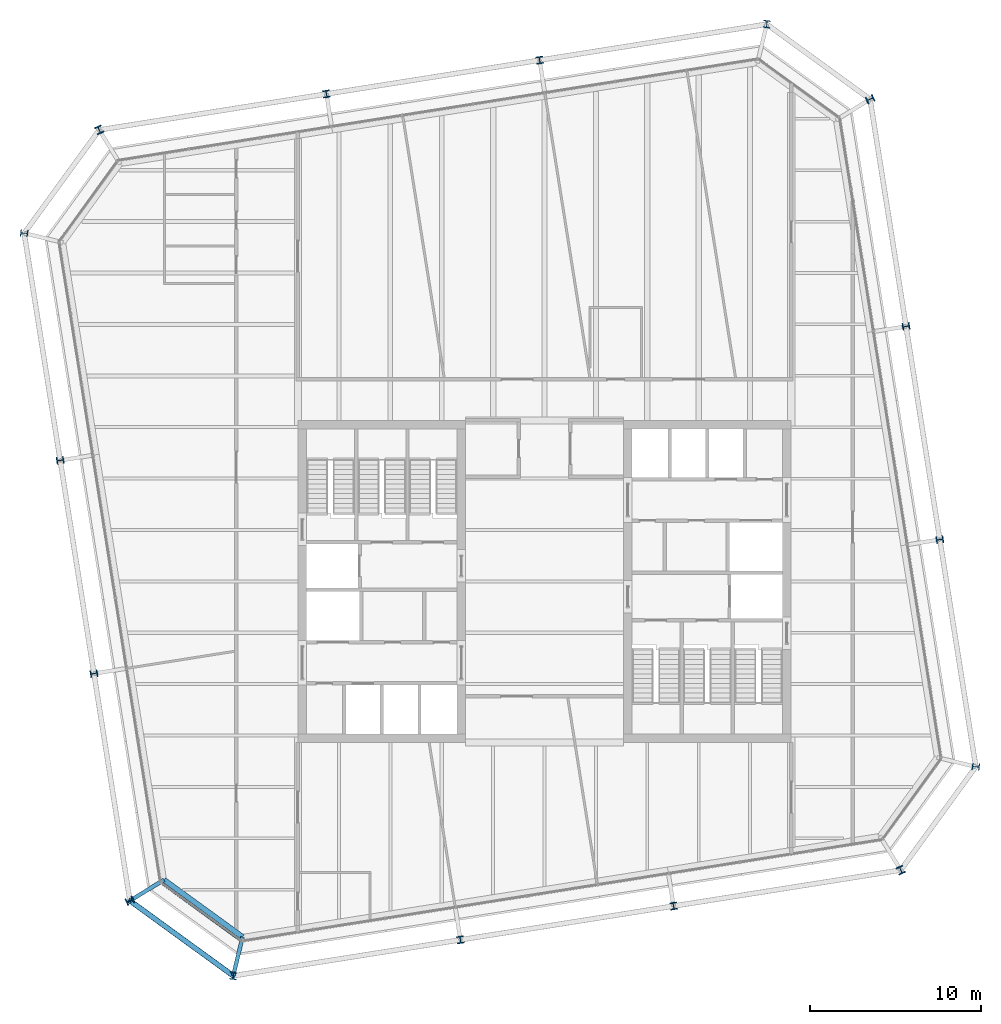
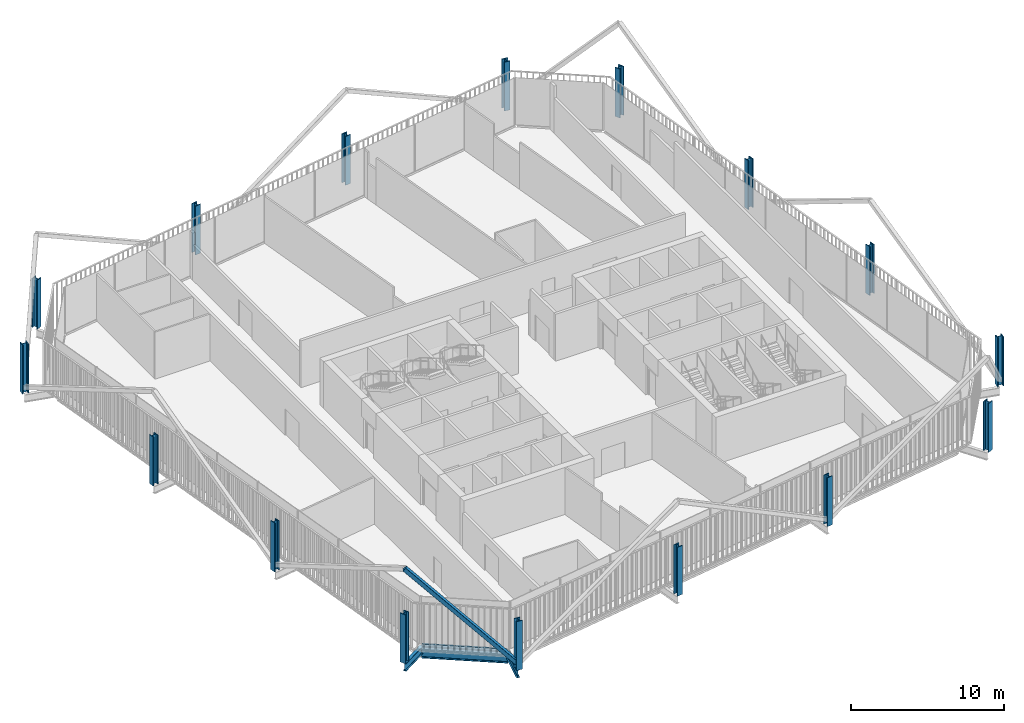
# One storey, part 1 of 21: 16 columns, 3 beams, 2 members, 1 element without a shape of its own.
"""IFC4 building model written with IfcOpenShell, lengths in metres."""

from ifc_helpers import new_model, si_unit, direction, frame, origin, origin_2d, place, context, subcontext, project, spatial, rectangle, hollow_rectangle, i_section, extrude, material, layer, layer_set, material_profile, profile_set, type_object, element, aggregate, save


model = new_model("IFC4")

# Units and contexts
model_context = context("Model", 3, precision=1e-05, world=origin(), true_north=direction((0.0, 1.0)))
body_context = subcontext(model_context, "Body", "Model", "MODEL_VIEW")
ifc_project = project(units=[si_unit("LENGTHUNIT", "METRE"), si_unit("AREAUNIT", "SQUARE_METRE"), si_unit("VOLUMEUNIT", "CUBIC_METRE"), si_unit("PLANEANGLEUNIT", "RADIAN"), si_unit("MASSUNIT", "GRAM", prefix="KILO")], contexts=[model_context])

# Site, building, storey
site_placement = place(None, origin())
site = spatial("IfcSite", under=ifc_project, at=site_placement, CompositionType="ELEMENT")
building_placement = place(site_placement, origin())
building = spatial("IfcBuilding", under=site, at=building_placement, Name="Millrace Tower", CompositionType="ELEMENT")
storey_placement = place(building_placement, frame((0.0, 0.0, 247.39990234375)))
storey = spatial("IfcBuildingStorey", under=building, at=storey_placement, Name="L56", CompositionType="ELEMENT", Elevation=247.39990234375)

# Columns
ifc_material_1 = material(Name="Steel ASTM A913 Grade 65", Category="steel")
ifc_material_profile_1 = material_profile(ifc_material_1, i_section(OverallWidth=0.408935546875, OverallDepth=0.424072265625, WebThickness=0.03271484375, FlangeThickness=0.052490234375, FilletRadius=0.01513671875, at=origin_2d()))
ifc_profile_set_1 = profile_set([ifc_material_profile_1], Name="Steel ASTM A913 Grade 65")
column_type_1 = type_object("IfcColumnType", Name="Exoskeleton column W14x283", PredefinedType="COLUMN", material=ifc_profile_set_1)
for number, where, z_axis, x_axis, name in (
    (1, (-4.91162109375, -20.927734375, 0.0), (0.0, 0.0, 1.0), (0.987688341035, 0.156434462265, 0.0), "COL-D-L56-X03"),
    (2, (7.533203125, -18.956787109375, 0.0), (0.0, 0.0, 1.0), (0.987688341035, 0.156434462265, 0.0), "COL-D-L56-X04"),
    (3, (23.07763671875, 2.4384765625, 0.0), (0.0, 0.0, 1.0), (-0.156434462265, 0.987688341035, 0.0), "COL-D-L56-X07"),
    (4, (21.106689453125, 14.88330078125, 0.0), (0.0, 0.0, 1.0), (-0.156434462265, 0.987688341035, 0.0), "COL-D-L56-X08"),
    (5, (-0.288330078125, 30.427734375, 0.0), (0.0, 0.0, 1.0), (-0.987688341035, -0.156434462265, 0.0), "COL-D-L56-X11"),
    (6, (-12.7333984375, 28.456787109375, 0.0), (0.0, 0.0, 1.0), (-0.987688341035, -0.156434462265, 0.0), "COL-D-L56-X12"),
    (7, (-28.27783203125, 7.0615234375, 0.0), (0.0, 0.0, 1.0), (0.156434462265, -0.987688341035, 0.0), "COL-D-L56-X15"),
    (8, (-26.306640625, -5.38330078125, 0.0), (0.0, 0.0, 1.0), (0.156434462265, -0.987688341035, 0.0), "COL-D-L56-X16"),
):
    element("IfcColumn", number, at=place(storey_placement, frame(where, z_axis=z_axis, x_axis=x_axis)), inside=storey, type_object=column_type_1, Name=name, PredefinedType="COLUMN", context=body_context, shape_type="SweptSolid", body=[
        extrude(i_section(OverallWidth=0.408935546875, OverallDepth=0.424072265625, WebThickness=0.03271484375, FlangeThickness=0.052490234375, FilletRadius=0.01513671875, at=origin_2d()), origin(), (0.0, 0.0, 1.0), 3.900146484375),
    ])
ifc_material_2 = material(Name="Steel ASTM A913 Grade 65", Category="steel")
ifc_material_profile_2 = material_profile(ifc_material_2, i_section(OverallWidth=0.41650390625, OverallDepth=0.444580078125, WebThickness=0.0390625, FlangeThickness=0.062744140625, FilletRadius=0.01513671875, at=origin_2d()))
ifc_profile_set_2 = profile_set([ifc_material_profile_2], Name="Steel ASTM A913 Grade 65")
column_type_2 = type_object("IfcColumnType", Name="Exoskeleton column W14x342", PredefinedType="COLUMN", material=ifc_profile_set_2)
for number, where, z_axis, x_axis, name in (
    (9, (-24.2060546875, -18.646484375, 0.0), (0.0, 0.0, 1.0), (0.418552981224, -0.908192381552, 0.0), "COL-D-L56-X01"),
    (10, (-18.174560546875, -23.0283203125, 0.0), (0.0, 0.0, 1.0), (0.993082267365, -0.117420655103, 0.0), "COL-D-L56-X02"),
    (11, (20.79638671875, -16.85595703125, 0.0), (0.0, 0.0, 1.0), (0.908192381552, 0.418552981224, 0.0), "COL-D-L56-X05"),
    (12, (25.178466796875, -10.82470703125, 0.0), (0.0, 0.0, 1.0), (0.117420655103, 0.993082267365, 0.0), "COL-D-L56-X06"),
    (13, (19.006103515625, 28.146484375, 0.0), (0.0, 0.0, 1.0), (-0.418552981224, 0.908192381552, 0.0), "COL-D-L56-X09"),
    (14, (12.974609375, 32.5283203125, 0.0), (0.0, 0.0, 1.0), (-0.993082267365, 0.117420655103, 0.0), "COL-D-L56-X10"),
    (15, (-25.996337890625, 26.35595703125, 0.0), (0.0, 0.0, 1.0), (-0.908192381552, -0.418552981224, 0.0), "COL-D-L56-X13"),
    (16, (-30.37841796875, 20.32470703125, 0.0), (0.0, 0.0, 1.0), (-0.117420655103, -0.993082267365, 0.0), "COL-D-L56-X14"),
):
    element("IfcColumn", number, at=place(storey_placement, frame(where, z_axis=z_axis, x_axis=x_axis)), inside=storey, type_object=column_type_2, Name=name, PredefinedType="COLUMN", context=body_context, shape_type="SweptSolid", body=[
        extrude(i_section(OverallWidth=0.41650390625, OverallDepth=0.444580078125, WebThickness=0.0390625, FlangeThickness=0.062744140625, FilletRadius=0.01513671875, at=origin_2d()), origin(), (0.0, 0.0, 1.0), 3.900146484375),
    ])

# Curtain wall, member
ifc_material_3 = material(Name="Aluminium and glass", Category="aluminium")
ifc_layer = layer(ifc_material_3, 0.14990234375)
ifc_layer_set = layer_set([ifc_layer], Name="Aluminium and glass")
curtain_wall_type = type_object("IfcCurtainWallType", Name="CW-1 office vision curtain wall", PredefinedType="NOTDEFINED", material=ifc_layer_set)
curtain_wall_placement = place(storey_placement, origin())
curtain_wall = element("IfcCurtainWall", 17, at=curtain_wall_placement, inside=storey, type_object=curtain_wall_type, Name="Curtain wall D-F01 L56", PredefinedType="NOTDEFINED")
ifc_material_4 = material(Name="Aluminium", Category="aluminium")
ifc_material_profile_3 = material_profile(ifc_material_4, rectangle(XDim=0.14990234375, YDim=0.139892578125, at=origin_2d()))
ifc_profile_set_3 = profile_set([ifc_material_profile_3], Name="Aluminium")
member_type_1 = type_object("IfcMemberType", Name="CW-1 office vision curtain wall transom", PredefinedType="USERDEFINED", material=ifc_profile_set_3)
member_1_placement = place(storey_placement, frame((-22.323486328125, -17.634765625, 0.070068359375), z_axis=(0.809033935994, -0.587761933448, 0.0), x_axis=(0.587761933448, 0.809033935994, 0.0)))
member_1 = element("IfcMember", 18, at=member_1_placement, type_object=member_type_1, Name="CW1 transom D-F01.1", ObjectType="TRANSOM", PredefinedType="USERDEFINED", context=body_context, shape_type="SweptSolid", body=[
    extrude(rectangle(XDim=0.14990234375, YDim=0.139892578125, at=origin_2d()), origin(), (0.0, 0.0, 1.0), 5.598388671875),
])
aggregate(curtain_wall, [member_1])

# Member
ifc_material_5 = material(Name="Steel ASTM A500 Grade C", Category="steel")
ifc_material_profile_4 = material_profile(ifc_material_5, hollow_rectangle(XDim=0.3046875, YDim=0.3046875, WallThickness=0.009521484375, InnerFilletRadius=0.004638671875, OuterFilletRadius=0.014404296875, at=origin_2d()))
ifc_profile_set_4 = profile_set([ifc_material_profile_4], Name="Steel ASTM A500 Grade C")
member_type_2 = type_object("IfcMemberType", Name="Exoskeleton brace HSS12x12x3/8", PredefinedType="BRACE", material=ifc_profile_set_4)
member_2_placement = place(storey_placement, frame((-18.174560546875, -23.0283203125, 0.400146484375), z_axis=(-0.589795997835, 0.428482435505, 0.684502361867), x_axis=(-0.587758820843, -0.809036197288, 0.0)))
element("IfcMember", 19, at=member_2_placement, inside=storey, type_object=member_type_2, Name="BRC-D-L56-01", PredefinedType="BRACE", context=body_context, shape_type="SweptSolid", body=[
    extrude(hollow_rectangle(XDim=0.3046875, YDim=0.3046875, WallThickness=0.009521484375, InnerFilletRadius=0.004638671875, OuterFilletRadius=0.014404296875, at=origin_2d()), origin(), (0.0, 0.0, 1.0), 10.226318359375),
])

# Beams
ifc_material_6 = material(Name="Steel ASTM A992 Grade 50", Category="steel")
ifc_material_profile_5 = material_profile(ifc_material_6, i_section(OverallWidth=0.23046875, OverallDepth=0.6171875, WebThickness=0.01318359375, FlangeThickness=0.022216796875, FilletRadius=0.012939453125, at=origin_2d()))
ifc_profile_set_5 = profile_set([ifc_material_profile_5], Name="Steel ASTM A992 Grade 50")
beam_type_1 = type_object("IfcBeamType", Name="Link beam W24x94", PredefinedType="BEAM", material=ifc_profile_set_5)
for number, where, z_axis, x_axis, name in (
    (20, (-22.218505859375, -17.428466796875, -0.468505859375), (-0.852631355792, -0.522512938711, 0.0), (0.522512938711, -0.852631355792, 0.0), "LNK-D-L56-S1-01"),
    (21, (-17.63037109375, -20.76171875, -0.468505859375), (-0.233456138164, -0.972367333652, 0.0), (0.972367333652, -0.233456138164, 0.0), "LNK-D-L56-S1-16"),
):
    element("IfcBeam", number, at=place(storey_placement, frame(where, z_axis=z_axis, x_axis=x_axis)), inside=storey, type_object=beam_type_1, Name=name, PredefinedType="BEAM", context=body_context, shape_type="SweptSolid", body=[
        extrude(i_section(OverallWidth=0.23046875, OverallDepth=0.6171875, WebThickness=0.01318359375, FlangeThickness=0.022216796875, FilletRadius=0.012939453125, at=origin_2d()), origin(), (0.0, 0.0, 1.0), 2.3310546875),
    ])
ifc_material_7 = material(Name="Steel ASTM A992 Grade 50", Category="steel")
ifc_material_profile_6 = material_profile(ifc_material_7, i_section(OverallWidth=0.307373046875, OverallDepth=0.927001953125, WebThickness=0.01953125, FlangeThickness=0.031982421875, FilletRadius=0.01904296875, at=origin_2d()))
ifc_profile_set_6 = profile_set([ifc_material_profile_6], Name="Steel ASTM A992 Grade 50")
beam_type_2 = type_object("IfcBeamType", Name="Ring beam short span W36x194", PredefinedType="SPANDREL", material=ifc_profile_set_6)
beam_placement = place(storey_placement, frame((-17.63037109375, -20.76171875, -0.62353515625), z_axis=(-0.809035699289, 0.587759506326, 0.0), x_axis=(-0.587759506326, -0.809035699289, 0.0)))
element("IfcBeam", 22, at=beam_placement, inside=storey, type_object=beam_type_2, Name="RNG-D-L56-S1-16", PredefinedType="SPANDREL", context=body_context, shape_type="SweptSolid", body=[
    extrude(i_section(OverallWidth=0.307373046875, OverallDepth=0.927001953125, WebThickness=0.01953125, FlangeThickness=0.031982421875, FilletRadius=0.01904296875, at=origin_2d()), origin(), (0.0, 0.0, 1.0), 5.671142578125),
])

save(model, "model.ifc")
